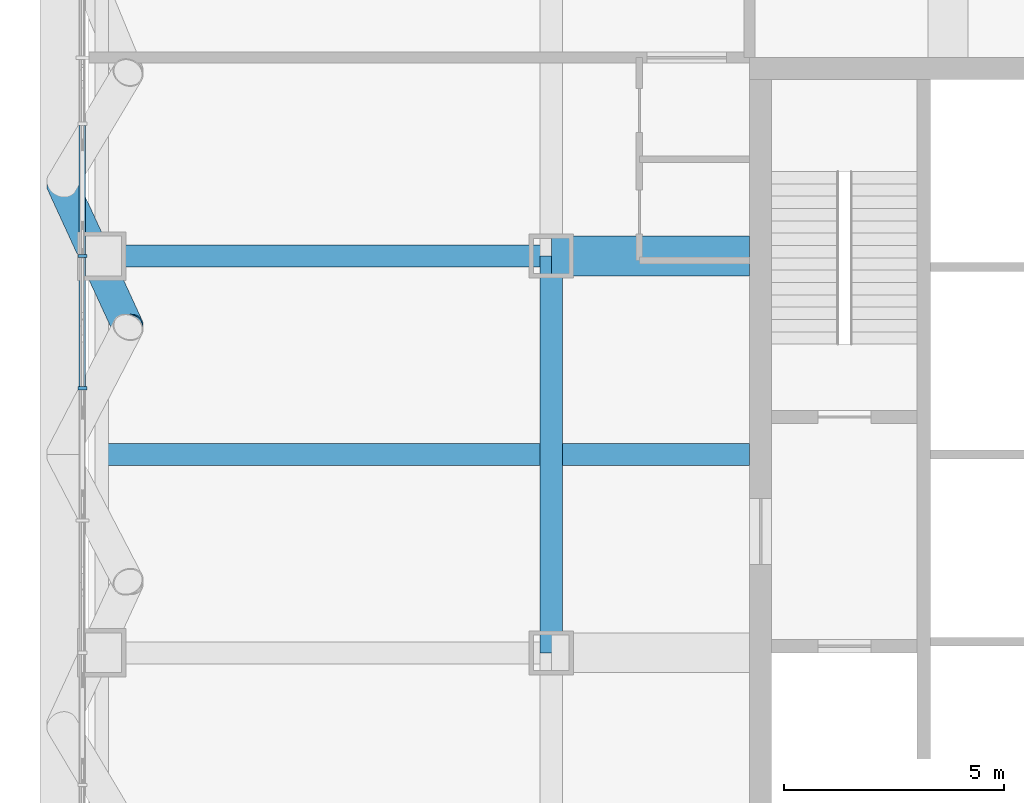
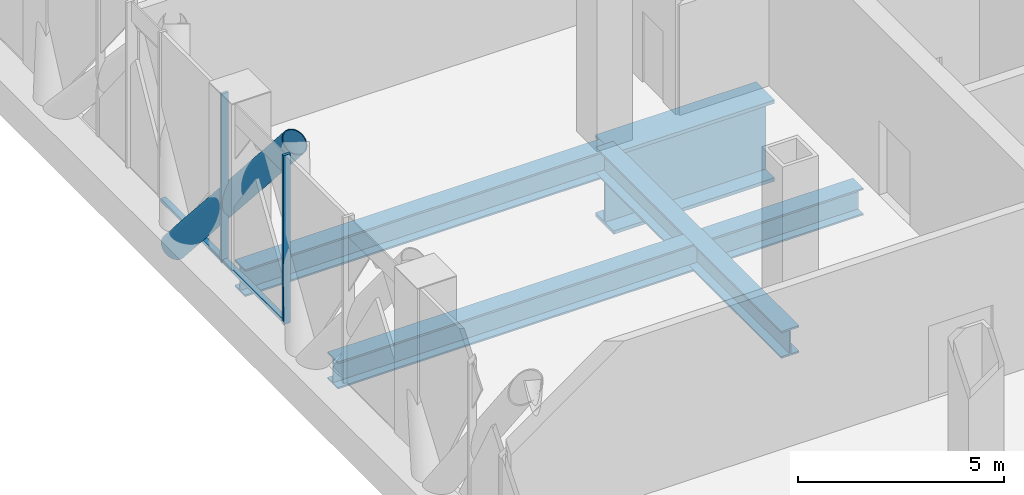
# One storey, part 6 of 29: 5 members, 4 beams, 1 element without a shape of its own.
"""IFC4 building model written with IfcOpenShell, lengths in metres."""

from ifc_helpers import new_model, si_unit, direction, frame, origin, origin_2d, place, context, subcontext, project, spatial, rectangle, hollow_circle, i_section, extrude, material, layer, layer_set, material_profile, profile_set, type_object, element, aggregate, save


model = new_model("IFC4")

# Units and contexts
model_context = context("Model", 3, precision=1e-05, world=origin(), true_north=direction((0.0, 1.0)))
body_context = subcontext(model_context, "Body", "Model", "MODEL_VIEW")
ifc_project = project(units=[si_unit("LENGTHUNIT", "METRE"), si_unit("AREAUNIT", "SQUARE_METRE"), si_unit("VOLUMEUNIT", "CUBIC_METRE"), si_unit("PLANEANGLEUNIT", "RADIAN"), si_unit("MASSUNIT", "GRAM", prefix="KILO")], contexts=[model_context])

# Site, building, storey
site_placement = place(None, origin())
site = spatial("IfcSite", under=ifc_project, at=site_placement, CompositionType="ELEMENT")
building_placement = place(site_placement, origin())
building = spatial("IfcBuilding", under=site, at=building_placement, Name="Malebo Sky Hospital", CompositionType="ELEMENT")
storey_placement = place(building_placement, frame((0.0, 0.0, 172.0)))
storey = spatial("IfcBuildingStorey", under=building, at=storey_placement, Name="L41", CompositionType="ELEMENT", Elevation=172.0)

# Curtain wall, members
ifc_material_1 = material(Name="Anodised aluminium, natural silver", Category="aluminium")
ifc_layer = layer(ifc_material_1, 0.25)
ifc_layer_set = layer_set([ifc_layer], Name="PLANT LOUVRE SCREEN")
curtain_wall_type = type_object("IfcCurtainWallType", Name="PLANT LOUVRE SCREEN", PredefinedType="NOTDEFINED", material=ifc_layer_set)
curtain_wall_placement = place(storey_placement, origin())
curtain_wall = element("IfcCurtainWall", 1, at=curtain_wall_placement, inside=storey, type_object=curtain_wall_type, Name="PLANT curtain wall W", PredefinedType="NOTDEFINED")
ifc_material_profile_1 = material_profile(ifc_material_1, rectangle(XDim=0.14990234375, YDim=0.10009765625, at=origin_2d()), Name="ALUMINIUM TRANSOM 150x100")
ifc_profile_set_1 = profile_set([ifc_material_profile_1], Name="Anodised aluminium, natural silver")
member_type_1 = type_object("IfcMemberType", Name="ALUMINIUM TRANSOM 150x100", PredefinedType="USERDEFINED", material=ifc_profile_set_1)
member_1_placement = place(storey_placement, frame((35.864990234375, 63.53759765625, 0.050048828125), z_axis=(0.0, 1.0, 0.0), x_axis=(-1.0, 0.0, 0.0)))
member_1 = element("IfcMember", 2, at=member_1_placement, type_object=member_type_1, Name="Transom 9", ObjectType="TRANSOM", PredefinedType="USERDEFINED", context=body_context, shape_type="SweptSolid", body=[
    extrude(rectangle(XDim=0.14990234375, YDim=0.10009765625, at=origin_2d()), origin(), (0.0, 0.0, 1.0), 2.9248046875),
])
member_2_placement = place(storey_placement, frame((35.864990234375, 66.53759765625, 0.050048828125), z_axis=(0.0, 1.0, 0.0), x_axis=(-1.0, 0.0, 0.0)))
member_2 = element("IfcMember", 3, at=member_2_placement, type_object=member_type_1, Name="Transom 10", ObjectType="TRANSOM", PredefinedType="USERDEFINED", context=body_context, shape_type="SweptSolid", body=[
    extrude(rectangle(XDim=0.14990234375, YDim=0.10009765625, at=origin_2d()), origin(), (0.0, 0.0, 1.0), 2.9248046875),
])

# Member
ifc_material_2 = material(Name="Steel S460", Category="steel")
ifc_material_profile_2 = material_profile(ifc_material_2, hollow_circle(Radius=0.35546875, WallThickness=0.02490234375, at=origin_2d()), Name="CHS 711x25")
ifc_profile_set_2 = profile_set([ifc_material_profile_2], Name="Steel S460")
member_type_2 = type_object("IfcMemberType", Name="BELT TRUSS DIAGONAL CHS 711x25", PredefinedType="BRACE", material=ifc_profile_set_2)
member_3_placement = place(storey_placement, frame((35.39990234375, 68.14990234375, -0.39990234375), z_axis=(0.258796497336, -0.562873957341, 0.78498234446), x_axis=(0.908567362374, 0.417738372703, 0.0)))
element("IfcMember", 4, at=member_3_placement, inside=storey, type_object=member_type_2, Name="Belt truss diagonal W4.1 L41", PredefinedType="BRACE", context=body_context, shape_type="SweptSolid", body=[
    extrude(hollow_circle(Radius=0.35546875, WallThickness=0.02490234375, at=origin_2d()), origin(), (0.0, 0.0, 1.0), 5.796142578125),
])

ifc_material_profile_3 = material_profile(ifc_material_1, rectangle(XDim=0.074951171875, YDim=0.199951171875, at=origin_2d()), Name="CW5 ALUMINIUM FIN MULLION 75x200")
ifc_profile_set_3 = profile_set([ifc_material_profile_3], Name="Anodised aluminium, natural silver")
member_type_3 = type_object("IfcMemberType", Name="CW5 ALUMINIUM FIN MULLION 75x200", PredefinedType="MULLION", material=ifc_profile_set_3)
member_4_placement = place(storey_placement, frame((35.864990234375, 63.5, 0.0), z_axis=(0.0, 0.0, 1.0), x_axis=(0.0, 1.0, 0.0)))
member_4 = element("IfcMember", 5, at=member_4_placement, type_object=member_type_3, Name="Fin mullion 9", PredefinedType="MULLION", context=body_context, shape_type="SweptSolid", body=[
    extrude(rectangle(XDim=0.074951171875, YDim=0.199951171875, at=origin_2d()), origin(), (0.0, 0.0, 1.0), 5.0),
])

member_5_placement = place(storey_placement, frame((35.864990234375, 66.5, 0.0), z_axis=(0.0, 0.0, 1.0), x_axis=(0.0, 1.0, 0.0)))
member_5 = element("IfcMember", 6, at=member_5_placement, type_object=member_type_3, Name="Fin mullion 10", PredefinedType="MULLION", context=body_context, shape_type="SweptSolid", body=[
    extrude(rectangle(XDim=0.074951171875, YDim=0.199951171875, at=origin_2d()), origin(), (0.0, 0.0, 1.0), 5.0),
])

aggregate(curtain_wall, [member_4, member_5, member_1, member_2])

# Beams
ifc_material_3 = material(Name="Steel S355", Category="steel")
ifc_material_profile_4 = material_profile(ifc_material_3, i_section(OverallWidth=0.89990234375, OverallDepth=2.39990234375, WebThickness=0.050048828125, FlangeThickness=0.10009765625, at=origin_2d()), Name="PG 2400x900x50x100")
ifc_profile_set_4 = profile_set([ifc_material_profile_4], Name="Steel S355")
beam_type_1 = type_object("IfcBeamType", Name="FLOOR BEAM PG 2400x900x50x100", PredefinedType="BEAM", material=ifc_profile_set_4)
beam_1_placement = place(storey_placement, frame((46.5, 66.5, -1.449951171875), z_axis=(1.0, 0.0, 0.0), x_axis=(0.0, 1.0, 0.0)))
element("IfcBeam", 7, at=beam_1_placement, inside=storey, type_object=beam_type_1, Name="Beam 053 L41", PredefinedType="BEAM", context=body_context, shape_type="SweptSolid", body=[
    extrude(i_section(OverallWidth=0.89990234375, OverallDepth=2.39990234375, WebThickness=0.050048828125, FlangeThickness=0.10009765625, at=origin_2d()), origin(), (0.0, 0.0, 1.0), 4.5),
])
ifc_material_profile_5 = material_profile(ifc_material_3, i_section(OverallWidth=0.5, OverallDepth=0.800048828125, WebThickness=0.030029296875, FlangeThickness=0.050048828125, at=origin_2d()), Name="PG 800x500x30x50")
ifc_profile_set_5 = profile_set([ifc_material_profile_5], Name="Steel S355")
beam_type_2 = type_object("IfcBeamType", Name="FLOOR BEAM PG 800x500x30x50", PredefinedType="BEAM", material=ifc_profile_set_5)
beam_2_placement = place(storey_placement, frame((36.300048828125, 62.0, -0.64990234375), z_axis=(1.0, 0.0, 0.0), x_axis=(0.0, 1.0, 0.0)))
element("IfcBeam", 8, at=beam_2_placement, inside=storey, type_object=beam_type_2, Name="Beam 050 L41", PredefinedType="BEAM", context=body_context, shape_type="SweptSolid", body=[
    extrude(i_section(OverallWidth=0.5, OverallDepth=0.800048828125, WebThickness=0.030029296875, FlangeThickness=0.050048828125, at=origin_2d()), origin(), (0.0, 0.0, 1.0), 14.699951171875),
])
beam_3_placement = place(storey_placement, frame((36.300048828125, 66.5, -0.64990234375), z_axis=(1.0, 0.0, 0.0), x_axis=(0.0, 1.0, 0.0)))
element("IfcBeam", 9, at=beam_3_placement, inside=storey, type_object=beam_type_2, Name="Beam 052 L41", PredefinedType="BEAM", context=body_context, shape_type="SweptSolid", body=[
    extrude(i_section(OverallWidth=0.5, OverallDepth=0.800048828125, WebThickness=0.030029296875, FlangeThickness=0.050048828125, at=origin_2d()), origin(), (0.0, 0.0, 1.0), 10.199951171875),
])
ifc_material_profile_6 = material_profile(ifc_material_3, i_section(OverallWidth=0.5, OverallDepth=0.800048828125, WebThickness=0.030029296875, FlangeThickness=0.050048828125, at=origin_2d()), Name="PG 800x500x30x50")
ifc_profile_set_6 = profile_set([ifc_material_profile_6], Name="Steel S355")
beam_type_3 = type_object("IfcBeamType", Name="RING GIRDER PG 800x500x30x50", PredefinedType="BEAM", material=ifc_profile_set_6)
beam_4_placement = place(storey_placement, frame((46.5, 57.5, -0.64990234375), z_axis=(0.0, 1.0, 0.0), x_axis=(-1.0, 0.0, 0.0)))
element("IfcBeam", 10, at=beam_4_placement, inside=storey, type_object=beam_type_3, Name="Beam 009 L41", PredefinedType="BEAM", context=body_context, shape_type="SweptSolid", body=[
    extrude(i_section(OverallWidth=0.5, OverallDepth=0.800048828125, WebThickness=0.030029296875, FlangeThickness=0.050048828125, at=origin_2d()), origin(), (0.0, 0.0, 1.0), 9.0),
])

save(model, "model.ifc")
